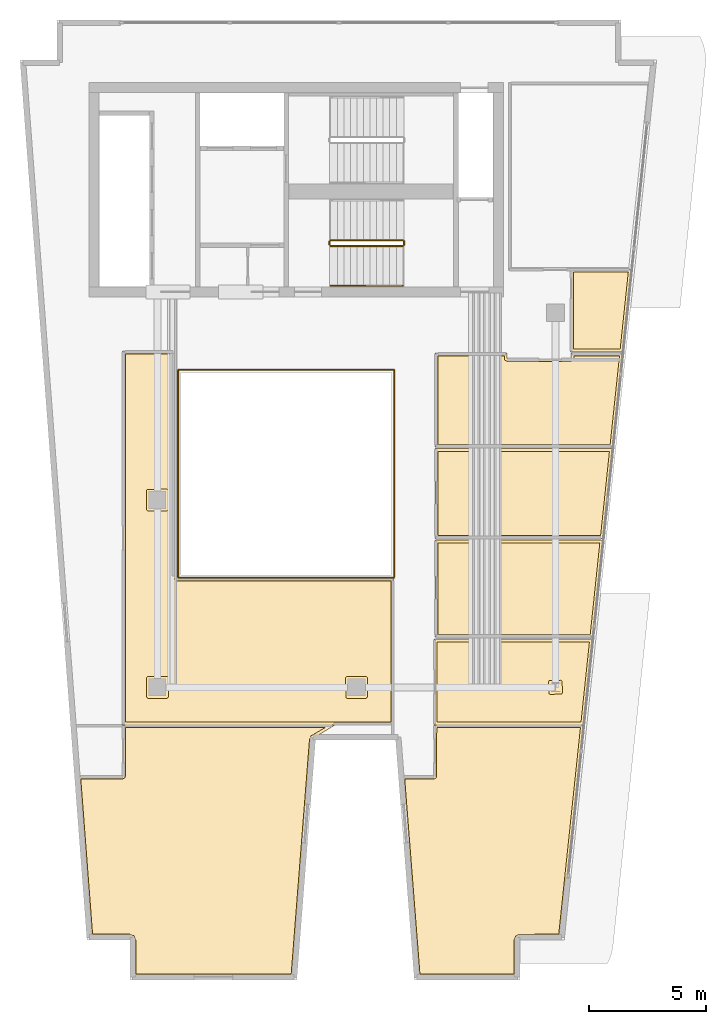
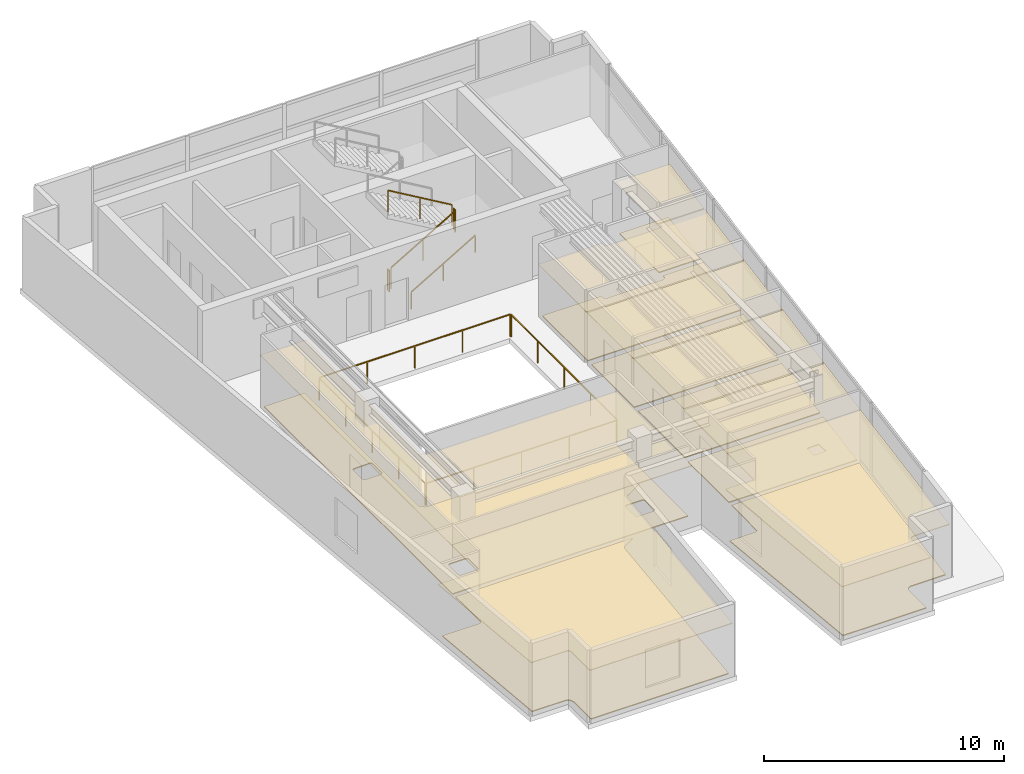
# One storey, part 5 of 6: 16 coverings, 9 railings.
"""IFC4 building model written with IfcOpenShell, lengths in metres."""

from ifc_helpers import new_model, si_unit, direction, frame, origin, origin_2d, place, context, subcontext, project, spatial, polyline, rectangle, outline, extrude, material, layer, layer_set, type_object, element, save


model = new_model("IFC4")

# Units and contexts
model_context = context("Model", 3, precision=1e-05, world=origin(), true_north=direction((0.0, 1.0)))
body_context = subcontext(model_context, "Body", "Model", "MODEL_VIEW")
ifc_project = project(units=[si_unit("LENGTHUNIT", "METRE"), si_unit("AREAUNIT", "SQUARE_METRE"), si_unit("VOLUMEUNIT", "CUBIC_METRE"), si_unit("PLANEANGLEUNIT", "RADIAN"), si_unit("MASSUNIT", "GRAM", prefix="KILO")], contexts=[model_context])

# Site, building, storey
site_placement = place(None, origin())
site = spatial("IfcSite", under=ifc_project, at=site_placement, CompositionType="ELEMENT")
building_placement = place(site_placement, origin())
building = spatial("IfcBuilding", under=site, at=building_placement, Name="Caeloran Harvest Quay", CompositionType="ELEMENT")
storey_placement = place(building_placement, frame((0.0, 0.0, 276.449951171875)))
storey = spatial("IfcBuildingStorey", under=building, at=storey_placement, Name="L66", CompositionType="ELEMENT", Elevation=276.449951171875)

# Coverings
ifc_material_1 = material(Name="Perforated Mineral-Fibre Acoustic Ceiling Tile", Category="ceiling")
ifc_layer_1 = layer(ifc_material_1, 0.0400390625, Name="Perforated Mineral-Fibre Acoustic Ceiling Tile")
ifc_layer_set_1 = layer_set([ifc_layer_1], Name="Perforated Mineral-Fibre Acoustic Ceiling Tile")
covering_type_1 = type_object("IfcCoveringType", Name="COV-CEILING-ACOUSTIC", PredefinedType="CEILING", material=ifc_layer_set_1)
covering_1_placement = place(storey_placement, frame((0.0, 0.0, 2.60009765625)))
element("IfcCovering", 1, at=covering_1_placement, inside=storey, type_object=covering_type_1, Name="L66 Male Washroom WC Acoustic Ceiling", PredefinedType="CEILING", context=body_context, shape_type="SweptSolid", body=[
    extrude(outline(polyline([(23.429931640625, 29.280029296875), (23.43017578125, 29.048095703125), (23.450927734375, 29.030029296875), (26.152099609375, 29.030029296875), (26.169921875, 29.048095703125), (26.169921875, 29.280029296875), (28.365478515625, 29.280029296875), (27.943359375, 25.260009765625), (20.360107421875, 25.260009765625), (20.360107421875, 29.280029296875), (23.429931640625, 29.280029296875)])), origin(), (0.0, 0.0, 1.0), 0.0400390625),
])
covering_2_placement = place(storey_placement, frame((0.0, 0.0, 2.60009765625)))
element("IfcCovering", 2, at=covering_2_placement, inside=storey, type_object=covering_type_1, Name="L66 Female Washroom WC Acoustic Ceiling", PredefinedType="CEILING", context=body_context, shape_type="SweptSolid", body=[
    extrude(outline(polyline([(27.93603515625, 25.18994140625), (27.53369140625, 21.360107421875), (20.360107421875, 21.360107421875), (20.360107421875, 25.18994140625), (27.93603515625, 25.18994140625)])), origin(), (0.0, 0.0, 1.0), 0.0400390625),
])
covering_3_placement = place(storey_placement, frame((0.0, 0.0, 2.60009765625)))
element("IfcCovering", 3, at=covering_3_placement, inside=storey, type_object=covering_type_1, Name="L66 Accessible Unisex Washroom WC Acoustic Ceiling", PredefinedType="CEILING", context=body_context, shape_type="SweptSolid", body=[
    extrude(outline(polyline([(27.5263671875, 21.2900390625), (27.090576171875, 17.139892578125), (20.360107421875, 17.139892578125), (20.360107421875, 21.2900390625), (27.5263671875, 21.2900390625)])), origin(), (0.0, 0.0, 1.0), 0.0400390625),
])
covering_4_placement = place(storey_placement, frame((0.0, 0.0, 2.60009765625)))
element("IfcCovering", 4, at=covering_4_placement, inside=storey, type_object=covering_type_1, Name="Executive Sky-Floor Office Acoustic Ceiling", PredefinedType="CEILING", context=body_context, shape_type="SweptSolid", body=[
    extrude(outline(polyline([(7.010009765625, 11.2099609375), (7.010009765625, 13.39990234375), (16.09521484375, 13.39990234375), (15.251708984375, 12.889892578125), (15.1728515625, 12.86572265625), (15.134033203125, 12.826171875), (15.11376953125, 12.774658203125), (14.322021484375, 2.639892578125), (7.45849609375, 2.639892578125), (7.45849609375, 4.198974609375), (7.44775390625, 4.253662109375), (7.41748046875, 4.299072265625), (7.3720703125, 4.329345703125), (7.3173828125, 4.340087890625), (5.618896484375, 4.340087890625), (5.096435546875, 11.2099609375), (7.010009765625, 11.2099609375)])), origin(), (0.0, 0.0, 1.0), 0.0400390625),
])
covering_5_placement = place(storey_placement, frame((0.0, 0.0, 2.60009765625)))
element("IfcCovering", 5, at=covering_5_placement, inside=storey, type_object=covering_type_1, Name="Strategic Foresight Laboratory Acoustic Ceiling", PredefinedType="CEILING", context=body_context, shape_type="SweptSolid", body=[
    extrude(outline(polyline([(20.31005859375, 11.2099609375), (20.31005859375, 13.39990234375), (26.697509765625, 13.39990234375), (25.74609375, 4.340087890625), (23.994384765625, 4.340087890625), (23.90478515625, 4.30810546875), (23.8642578125, 4.253662109375), (23.853515625, 4.198974609375), (23.853515625, 2.639892578125), (19.599853515625, 2.639892578125), (18.930908203125, 11.2099609375), (20.31005859375, 11.2099609375)])), origin(), (0.0, 0.0, 1.0), 0.0400390625),
])
covering_6_placement = place(storey_placement, frame((0.0, 0.0, 2.60009765625)))
element("IfcCovering", 6, at=covering_6_placement, inside=storey, type_object=covering_type_1, Name="Chairman Corner Office Acoustic Ceiling", PredefinedType="CEILING", context=body_context, shape_type="SweptSolid", body=[
    extrude(outline(polyline([(20.31005859375, 17.06005859375), (27.08203125, 17.06005859375), (26.697509765625, 13.39990234375), (20.31005859375, 13.39990234375), (20.31005859375, 17.06005859375)])), origin(), (0.0, 0.0, 1.0), 0.0400390625),
])
covering_7_placement = place(storey_placement, frame((0.0, 0.0, 2.60009765625)))
element("IfcCovering", 7, at=covering_7_placement, inside=storey, type_object=covering_type_1, Name="Managing Principal Office Acoustic Ceiling", PredefinedType="CEILING", context=body_context, shape_type="SweptSolid", body=[
    extrude(outline(polyline([(9.310791015625, 19.753173828125), (9.360107421875, 19.68701171875), (9.360107421875, 19.659912109375), (18.590087890625, 19.659912109375), (18.590087890625, 13.39990234375), (7.010009765625, 13.39990234375), (7.010009765625, 29.360107421875), (9.2099609375, 29.360107421875), (9.2099609375, 19.760009765625), (9.310791015625, 19.753173828125)])), origin(), (0.0, 0.0, 1.0), 0.0400390625),
])
covering_8_placement = place(storey_placement, frame((0.0, 0.0, 2.60009765625)))
element("IfcCovering", 8, at=covering_8_placement, inside=storey, type_object=covering_type_1, Name="Executive Sky-Floor Office 5 Acoustic Ceiling", PredefinedType="CEILING", context=body_context, shape_type="SweptSolid", body=[
    extrude(outline(polyline([(26.139892578125, 32.798095703125), (26.12158203125, 32.85009765625), (28.740478515625, 32.85009765625), (28.370849609375, 29.330078125), (26.139892578125, 29.330078125), (26.139892578125, 32.798095703125)])), origin(), (0.0, 0.0, 1.0), 0.0400390625),
])
ifc_material_2 = material(Name="Calcium-Sulphate Raised Access Floor and Terrazzo Finish", Category="flooring")
ifc_layer_2 = layer(ifc_material_2, 0.050048828125, Name="Calcium-Sulphate Raised Access Floor and Terrazzo Finish")
ifc_layer_set_2 = layer_set([ifc_layer_2], Name="Calcium-Sulphate Raised Access Floor and Terrazzo Finish")
covering_type_2 = type_object("IfcCoveringType", Name="COV-FLOOR-RAISED", PredefinedType="FLOORING", material=ifc_layer_set_2)
covering_9_placement = place(storey_placement, origin())
element("IfcCovering", 9, at=covering_9_placement, inside=storey, type_object=covering_type_2, Name="L66 Male Washroom WC Raised Finish Flooring", PredefinedType="FLOORING", context=body_context, shape_type="SweptSolid", body=[
    extrude(outline(polyline([(23.31005859375, 29.159912109375), (23.32861328125, 28.980712890625), (23.449951171875, 28.909912109375), (26.159912109375, 28.910400390625), (26.275146484375, 28.987548828125), (26.2900390625, 29.159912109375), (28.232421875, 29.159912109375), (27.835205078125, 25.3798828125), (20.47998046875, 25.3798828125), (20.47998046875, 29.159912109375), (23.31005859375, 29.159912109375)])), origin(), (0.0, 0.0, 1.0), 0.050048828125),
])
covering_10_placement = place(storey_placement, origin())
element("IfcCovering", 10, at=covering_10_placement, inside=storey, type_object=covering_type_2, Name="L66 Female Washroom WC Raised Finish Flooring", PredefinedType="FLOORING", context=body_context, shape_type="SweptSolid", body=[
    extrude(outline(polyline([(27.802734375, 25.070068359375), (27.42578125, 21.47998046875), (20.47998046875, 21.47998046875), (20.47998046875, 25.070068359375), (27.802734375, 25.070068359375)])), origin(), (0.0, 0.0, 1.0), 0.050048828125),
])
covering_11_placement = place(storey_placement, origin())
element("IfcCovering", 11, at=covering_11_placement, inside=storey, type_object=covering_type_2, Name="L66 Accessible Unisex Washroom WC Raised Finish Flooring", PredefinedType="FLOORING", context=body_context, shape_type="SweptSolid", body=[
    extrude(outline(polyline([(27.39306640625, 21.169921875), (26.982421875, 17.260009765625), (20.47998046875, 17.260009765625), (20.47998046875, 21.169921875), (27.39306640625, 21.169921875)])), origin(), (0.0, 0.0, 1.0), 0.050048828125),
])
covering_12_placement = place(storey_placement, origin())
element("IfcCovering", 12, at=covering_12_placement, inside=storey, type_object=covering_type_2, Name="Executive Sky-Floor Office Raised Finish Flooring", PredefinedType="FLOORING", context=body_context, shape_type="SweptSolid", body=[
    extrude(outline(polyline([(15.664794921875, 13.280029296875), (15.06298828125, 12.928955078125), (14.9921875, 12.770263671875), (14.2109375, 2.760009765625), (7.57861328125, 2.760009765625), (7.578369140625, 4.203857421875), (7.49951171875, 4.38671875), (7.322509765625, 4.4599609375), (5.730224609375, 4.4599609375), (5.225830078125, 11.090087890625), (7.02001953125, 11.090087890625), (7.1025390625, 11.127197265625), (7.1298828125, 11.199951171875), (7.1298828125, 13.280029296875), (15.664794921875, 13.280029296875)])), origin(), (0.0, 0.0, 1.0), 0.050048828125),
])
covering_13_placement = place(storey_placement, origin())
element("IfcCovering", 13, at=covering_13_placement, inside=storey, type_object=covering_type_2, Name="Strategic Foresight Laboratory Raised Finish Flooring", PredefinedType="FLOORING", context=body_context, shape_type="SweptSolid", body=[
    extrude(outline(polyline([(23.921875, 4.449951171875), (23.795166015625, 4.367919921875), (23.735107421875, 4.2294921875), (23.7333984375, 2.760009765625), (19.710693359375, 2.760009765625), (19.060546875, 11.090087890625), (20.323974609375, 11.090087890625), (20.41357421875, 11.14208984375), (20.429931640625, 13.280029296875), (26.564453125, 13.280029296875), (25.637939453125, 4.4599609375), (23.921875, 4.449951171875)])), origin(), (0.0, 0.0, 1.0), 0.050048828125),
])
covering_14_placement = place(storey_placement, origin())
element("IfcCovering", 14, at=covering_14_placement, inside=storey, type_object=covering_type_2, Name="Chairman Corner Office Raised Finish Flooring", PredefinedType="FLOORING", context=body_context, shape_type="SweptSolid", body=[
    extrude(outline(polyline([(20.429931640625, 13.52001953125), (20.429931640625, 16.93994140625), (26.94873046875, 16.93994140625), (26.589599609375, 13.52001953125), (20.429931640625, 13.52001953125)]), holes=[polyline([(25.202392578125, 15.230712890625), (25.22021484375, 14.726318359375), (25.274169921875, 14.697509765625), (25.768798828125, 14.715087890625), (25.798095703125, 14.777099609375), (25.77978515625, 15.273681640625), (25.718017578125, 15.302978515625), (25.231201171875, 15.284912109375), (25.202392578125, 15.230712890625)])]), origin(), (0.0, 0.0, 1.0), 0.050048828125),
])
covering_15_placement = place(storey_placement, origin())
element("IfcCovering", 15, at=covering_15_placement, inside=storey, type_object=covering_type_2, Name="Managing Principal Office Raised Finish Flooring", PredefinedType="FLOORING", context=body_context, shape_type="SweptSolid", body=[
    extrude(outline(polyline([(9.240478515625, 19.639892578125), (9.275146484375, 19.569580078125), (9.35009765625, 19.5400390625), (18.469970703125, 19.5400390625), (18.469970703125, 13.52001953125), (7.1298828125, 13.52001953125), (7.1298828125, 29.239990234375), (9.090087890625, 29.239990234375), (9.090087890625, 19.75), (9.1357421875, 19.660888671875), (9.240478515625, 19.639892578125)]), holes=[polyline([(16.530029296875, 15.389892578125), (16.548095703125, 14.55908203125), (16.602294921875, 14.530517578125), (17.389892578125, 14.530029296875), (17.446533203125, 14.553466796875), (17.469970703125, 14.610107421875), (17.469970703125, 15.389892578125), (17.446533203125, 15.446533203125), (17.389892578125, 15.469970703125), (16.610107421875, 15.469970703125), (16.553466796875, 15.446533203125), (16.530029296875, 15.389892578125)]), polyline([(8.030029296875, 14.610107421875), (8.053466796875, 14.553466796875), (8.102294921875, 14.530517578125), (8.889892578125, 14.530029296875), (8.946533203125, 14.553466796875), (8.969970703125, 14.610107421875), (8.969970703125, 15.389892578125), (8.946533203125, 15.446533203125), (8.889892578125, 15.469970703125), (8.110107421875, 15.469970703125), (8.053466796875, 15.446533203125), (8.030029296875, 15.389892578125), (8.030029296875, 14.610107421875)]), polyline([(8.889892578125, 23.469970703125), (8.05908203125, 23.451904296875), (8.030517578125, 23.397705078125), (8.030029296875, 22.610107421875), (8.053466796875, 22.553466796875), (8.110107421875, 22.530029296875), (8.889892578125, 22.530029296875), (8.946533203125, 22.553466796875), (8.969970703125, 22.610107421875), (8.969970703125, 23.389892578125), (8.946533203125, 23.446533203125), (8.889892578125, 23.469970703125)])]), origin(), (0.0, 0.0, 1.0), 0.050048828125),
])
covering_16_placement = place(storey_placement, origin())
element("IfcCovering", 16, at=covering_16_placement, inside=storey, type_object=covering_type_2, Name="Executive Sky-Floor Office 5 Raised Finish Flooring", PredefinedType="FLOORING", context=body_context, shape_type="SweptSolid", body=[
    extrude(outline(polyline([(26.260009765625, 32.72998046875), (28.607421875, 32.72998046875), (28.2626953125, 29.449951171875), (26.260009765625, 29.449951171875), (26.260009765625, 32.72998046875)])), origin(), (0.0, 0.0, 1.0), 0.050048828125),
])

# Railings
ifc_material_3 = material(Name="Powder-Coated Steel Post and Laminated Glass Guardrail", Category="steel")
ifc_layer_3 = layer(ifc_material_3, 0.06005859375, Name="Powder-Coated Steel Post and Laminated Glass Guardrail")
ifc_layer_set_3 = layer_set([ifc_layer_3], Name="Powder-Coated Steel Post and Laminated Glass Guardrail")
railing_type_1 = type_object("IfcRailingType", Name="GUARD-ATRIUM-1150", PredefinedType="GUARDRAIL", material=ifc_layer_set_3)
railing_1_placement = place(storey_placement, frame((9.412109375, 19.679931640625, 0.0)))
element("IfcRailing", 17, at=railing_1_placement, inside=storey, type_object=railing_type_1, Name="L66 Skylit Atrium Void Perimeter Guardrail Seg 1", PredefinedType="GUARDRAIL", context=body_context, shape_type="SweptSolid", body=[
    extrude(rectangle(XDim=0.048095703125, YDim=0.048095703125, at=origin_2d()), frame((0.0, 0.0, 1.1259765625), z_axis=(1.0, 0.0, 0.0), x_axis=(0.0, 1.0, 0.0)), (0.0, 0.0, 1.0), 9.17578125),
    extrude(rectangle(XDim=0.0419921875, YDim=0.0419921875, at=origin_2d()), origin(), (0.0, 0.0, 1.0), 1.101806640625),
    extrude(rectangle(XDim=0.0419921875, YDim=0.0419921875, at=origin_2d()), frame((2.2939453125, 0.0, 0.0)), (0.0, 0.0, 1.0), 1.101806640625),
    extrude(rectangle(XDim=0.0419921875, YDim=0.0419921875, at=origin_2d()), frame((4.587890625, 0.0, 0.0)), (0.0, 0.0, 1.0), 1.101806640625),
    extrude(rectangle(XDim=0.0419921875, YDim=0.0419921875, at=origin_2d()), frame((6.8818359375, 0.0, 0.0)), (0.0, 0.0, 1.0), 1.101806640625),
    extrude(rectangle(XDim=0.0419921875, YDim=0.0419921875, at=origin_2d()), frame((9.17578125, 0.0, 0.0)), (0.0, 0.0, 1.0), 1.101806640625),
])
railing_2_placement = place(storey_placement, frame((18.6201171875, 19.7119140625, 0.0)))
element("IfcRailing", 18, at=railing_2_placement, inside=storey, type_object=railing_type_1, Name="L66 Skylit Atrium Void Perimeter Guardrail Seg 2", PredefinedType="GUARDRAIL", context=body_context, shape_type="SweptSolid", body=[
    extrude(rectangle(XDim=0.048095703125, YDim=0.048095703125, at=origin_2d()), frame((0.0, 0.0, 1.1259765625), z_axis=(0.0, 1.0, 0.0), x_axis=(-1.0, 0.0, 0.0)), (0.0, 0.0, 1.0), 8.826171875),
    extrude(rectangle(XDim=0.0419921875, YDim=0.0419921875, at=origin_2d()), origin(), (0.0, 0.0, 1.0), 1.101806640625),
    extrude(rectangle(XDim=0.0419921875, YDim=0.0419921875, at=origin_2d()), frame((0.0, 2.20654296875, 0.0)), (0.0, 0.0, 1.0), 1.101806640625),
    extrude(rectangle(XDim=0.0419921875, YDim=0.0419921875, at=origin_2d()), frame((0.0, 4.4130859375, 0.0)), (0.0, 0.0, 1.0), 1.101806640625),
    extrude(rectangle(XDim=0.0419921875, YDim=0.0419921875, at=origin_2d()), frame((0.0, 6.61962890625, 0.0)), (0.0, 0.0, 1.0), 1.101806640625),
    extrude(rectangle(XDim=0.0419921875, YDim=0.0419921875, at=origin_2d()), frame((0.0, 8.826171875, 0.0)), (0.0, 0.0, 1.0), 1.101806640625),
])
railing_3_placement = place(storey_placement, frame((18.587890625, 28.570068359375, 0.0)))
element("IfcRailing", 19, at=railing_3_placement, inside=storey, type_object=railing_type_1, Name="L66 Skylit Atrium Void Perimeter Guardrail Seg 3", PredefinedType="GUARDRAIL", context=body_context, shape_type="SweptSolid", body=[
    extrude(rectangle(XDim=0.048095703125, YDim=0.048095703125, at=origin_2d()), frame((0.0, 0.0, 1.1259765625), z_axis=(-1.0, 0.0, 0.0), x_axis=(0.0, -1.0, 0.0)), (0.0, 0.0, 1.0), 9.17578125),
    extrude(rectangle(XDim=0.0419921875, YDim=0.0419921875, at=origin_2d()), origin(), (0.0, 0.0, 1.0), 1.101806640625),
    extrude(rectangle(XDim=0.0419921875, YDim=0.0419921875, at=origin_2d()), frame((-2.2939453125, 0.0, 0.0)), (0.0, 0.0, 1.0), 1.101806640625),
    extrude(rectangle(XDim=0.0419921875, YDim=0.0419921875, at=origin_2d()), frame((-4.587890625, 0.0, 0.0)), (0.0, 0.0, 1.0), 1.101806640625),
    extrude(rectangle(XDim=0.0419921875, YDim=0.0419921875, at=origin_2d()), frame((-6.8818359375, 0.0, 0.0)), (0.0, 0.0, 1.0), 1.101806640625),
    extrude(rectangle(XDim=0.0419921875, YDim=0.0419921875, at=origin_2d()), frame((-9.17578125, 0.0, 0.0)), (0.0, 0.0, 1.0), 1.101806640625),
])
railing_4_placement = place(storey_placement, frame((9.3798828125, 28.5380859375, 0.0)))
element("IfcRailing", 20, at=railing_4_placement, inside=storey, type_object=railing_type_1, Name="L66 Skylit Atrium Void Perimeter Guardrail Seg 4", PredefinedType="GUARDRAIL", context=body_context, shape_type="SweptSolid", body=[
    extrude(rectangle(XDim=0.048095703125, YDim=0.048095703125, at=origin_2d()), frame((0.0, 0.0, 1.1259765625), z_axis=(0.0, -1.0, 0.0), x_axis=(1.0, 0.0, 0.0)), (0.0, 0.0, 1.0), 8.826171875),
    extrude(rectangle(XDim=0.0419921875, YDim=0.0419921875, at=origin_2d()), origin(), (0.0, 0.0, 1.0), 1.101806640625),
    extrude(rectangle(XDim=0.0419921875, YDim=0.0419921875, at=origin_2d()), frame((0.0, -2.20654296875, 0.0)), (0.0, 0.0, 1.0), 1.101806640625),
    extrude(rectangle(XDim=0.0419921875, YDim=0.0419921875, at=origin_2d()), frame((0.0, -4.4130859375, 0.0)), (0.0, 0.0, 1.0), 1.101806640625),
    extrude(rectangle(XDim=0.0419921875, YDim=0.0419921875, at=origin_2d()), frame((0.0, -6.61962890625, 0.0)), (0.0, 0.0, 1.0), 1.101806640625),
    extrude(rectangle(XDim=0.0419921875, YDim=0.0419921875, at=origin_2d()), frame((0.0, -8.826171875, 0.0)), (0.0, 0.0, 1.0), 1.101806640625),
])
ifc_material_4 = material(Name="Painted Steel Baluster and Top-Rail Stair Guard", Category="steel")
ifc_layer_4 = layer(ifc_material_4, 0.050048828125, Name="Painted Steel Baluster and Top-Rail Stair Guard")
ifc_layer_set_4 = layer_set([ifc_layer_4], Name="Painted Steel Baluster and Top-Rail Stair Guard")
railing_type_2 = type_object("IfcRailingType", Name="STAIR-GUARD-1100", PredefinedType="GUARDRAIL", material=ifc_layer_set_4)
railing_5_placement = place(storey_placement, frame((15.89990234375, 33.85009765625, 0.16455078125)))
element("IfcRailing", 21, at=railing_5_placement, inside=storey, type_object=railing_type_2, Name="L66 ST-C2 stair guard 1", PredefinedType="GUARDRAIL", context=body_context, shape_type="SweptSolid", body=[
    extrude(rectangle(XDim=0.048095703125, YDim=0.048095703125, at=origin_2d()), frame((0.0, 0.0, 1.076171875), z_axis=(0.862088758681, 0.0, 0.506757310905), x_axis=(0.0, 1.0, 0.0)), (0.0, 0.0, 1.0), 3.57275390625),
    extrude(rectangle(XDim=0.0419921875, YDim=0.0419921875, at=origin_2d()), origin(), (0.0, 0.0, 1.0), 1.052001953125),
    extrude(rectangle(XDim=0.0419921875, YDim=0.0419921875, at=origin_2d()), frame((1.5400390625, 0.0, 0.9052734375)), (0.0, 0.0, 1.0), 1.052001953125),
    extrude(rectangle(XDim=0.0419921875, YDim=0.0419921875, at=origin_2d()), frame((3.080078125, 0.0, 1.810546875)), (0.0, 0.0, 1.0), 1.052001953125),
])
railing_6_placement = place(storey_placement, frame((19.030029296875, 33.89990234375, 1.97509765625)))
element("IfcRailing", 22, at=railing_6_placement, inside=storey, type_object=railing_type_2, Name="L66 ST-C2 stair guard 2", PredefinedType="GUARDRAIL", context=body_context, shape_type="SweptSolid", body=[
    extrude(rectangle(XDim=0.048095703125, YDim=0.048095703125, at=origin_2d()), frame((0.0, 0.0, 1.076171875), z_axis=(0.0, 1.0, 0.0), x_axis=(-1.0, 0.0, 0.0)), (0.0, 0.0, 1.0), 0.150146484375),
    extrude(rectangle(XDim=0.0419921875, YDim=0.0419921875, at=origin_2d()), origin(), (0.0, 0.0, 1.0), 1.052001953125),
    extrude(rectangle(XDim=0.0419921875, YDim=0.0419921875, at=origin_2d()), frame((0.0, 0.150146484375, 0.0)), (0.0, 0.0, 1.0), 1.052001953125),
])
railing_7_placement = place(storey_placement, frame((18.97998046875, 34.10009765625, 2.1396484375)))
element("IfcRailing", 23, at=railing_7_placement, inside=storey, type_object=railing_type_2, Name="L66 ST-C2 stair guard 3", PredefinedType="GUARDRAIL", context=body_context, shape_type="SweptSolid", body=[
    extrude(rectangle(XDim=0.048095703125, YDim=0.048095703125, at=origin_2d()), frame((0.0, 0.0, 1.076171875), z_axis=(-0.862118610829, 0.0, 0.506706523406), x_axis=(0.0, -1.0, 0.0)), (0.0, 0.0, 1.0), 3.57275390625),
    extrude(rectangle(XDim=0.0419921875, YDim=0.0419921875, at=origin_2d()), origin(), (0.0, 0.0, 1.0), 1.052001953125),
    extrude(rectangle(XDim=0.0419921875, YDim=0.0419921875, at=origin_2d()), frame((-1.5400390625, 0.0, 0.9052734375)), (0.0, 0.0, 1.0), 1.052001953125),
    extrude(rectangle(XDim=0.0419921875, YDim=0.0419921875, at=origin_2d()), frame((-3.080078125, 0.0, 1.810302734375)), (0.0, 0.0, 1.0), 1.052001953125),
])
railing_8_placement = place(storey_placement, frame((15.85009765625, 33.89990234375, 0.0)))
element("IfcRailing", 24, at=railing_8_placement, inside=storey, type_object=railing_type_2, Name="L66 ST-C2 stair guard 4", PredefinedType="GUARDRAIL", context=body_context, shape_type="SweptSolid", body=[
    extrude(rectangle(XDim=0.048095703125, YDim=0.048095703125, at=origin_2d()), frame((0.0, 0.0, 1.076171875), z_axis=(0.0, 1.0, 0.0), x_axis=(-1.0, 0.0, 0.0)), (0.0, 0.0, 1.0), 0.150146484375),
    extrude(rectangle(XDim=0.0419921875, YDim=0.0419921875, at=origin_2d()), origin(), (0.0, 0.0, 1.0), 1.052001953125),
    extrude(rectangle(XDim=0.0419921875, YDim=0.0419921875, at=origin_2d()), frame((0.0, 0.150146484375, 0.0)), (0.0, 0.0, 1.0), 1.052001953125),
])
ifc_material_5 = material(Name="Brushed Stainless Steel Grade 304", Category="steel")
ifc_layer_5 = layer(ifc_material_5, 0.050048828125, Name="Brushed Stainless Steel Grade 304")
ifc_layer_set_5 = layer_set([ifc_layer_5], Name="Brushed Stainless Steel Grade 304")
railing_type_3 = type_object("IfcRailingType", Name="STAIR-HANDRAIL-900", PredefinedType="HANDRAIL", material=ifc_layer_set_5)
railing_9_placement = place(storey_placement, frame((15.89990234375, 32.14990234375, 0.16455078125)))
element("IfcRailing", 25, at=railing_9_placement, inside=storey, type_object=railing_type_3, Name="L66 ST-C2 stair handrail 1", PredefinedType="HANDRAIL", context=body_context, shape_type="SweptSolid", body=[
    extrude(rectangle(XDim=0.048095703125, YDim=0.048095703125, at=origin_2d()), frame((0.0, 0.0, 0.8759765625), z_axis=(0.862088758681, 0.0, 0.506757310905), x_axis=(0.0, 1.0, 0.0)), (0.0, 0.0, 1.0), 3.57275390625),
    extrude(rectangle(XDim=0.0419921875, YDim=0.0419921875, at=origin_2d()), origin(), (0.0, 0.0, 1.0), 0.851806640625),
    extrude(rectangle(XDim=0.0419921875, YDim=0.0419921875, at=origin_2d()), frame((1.5400390625, 0.0, 0.9052734375)), (0.0, 0.0, 1.0), 0.851806640625),
    extrude(rectangle(XDim=0.0419921875, YDim=0.0419921875, at=origin_2d()), frame((3.080078125, 0.0, 1.810546875)), (0.0, 0.0, 1.0), 0.851806640625),
])

save(model, "model.ifc")
